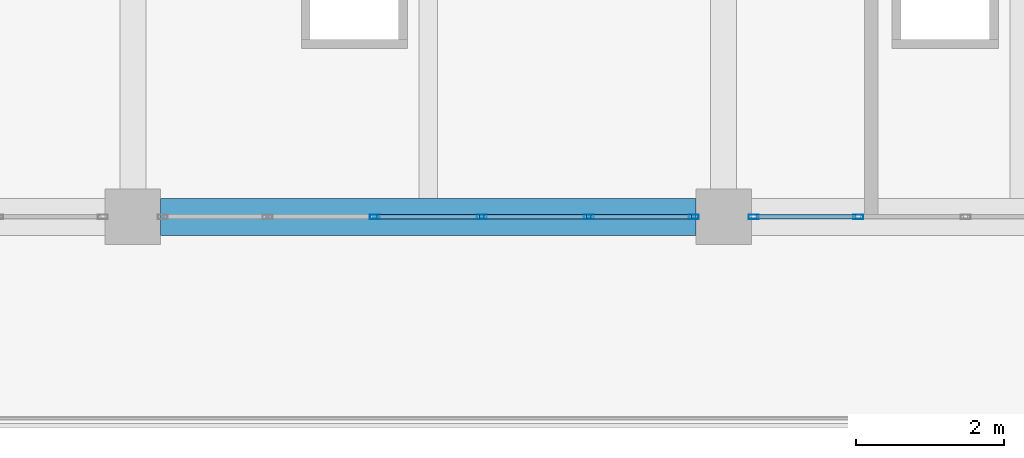
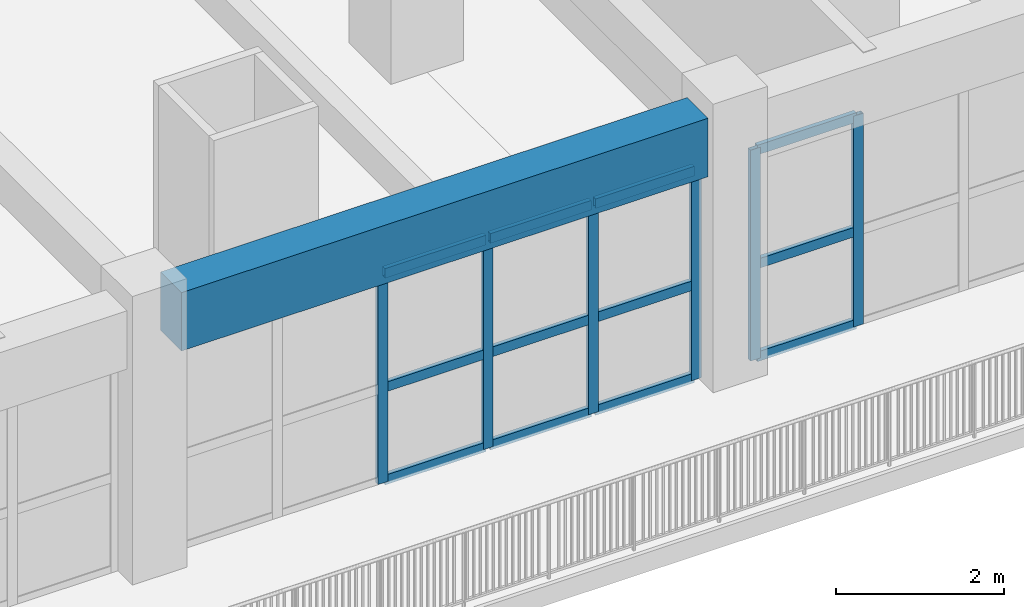
# One storey, part 15 of 63: 18 members, 1 beam, 2 elements without a shape of their own.
"""IFC4 building model written with IfcOpenShell, lengths in metres."""

from ifc_helpers import new_model, si_unit, direction, frame, origin, origin_2d, place, context, subcontext, project, spatial, rectangle, hollow_rectangle, extrude, material, material_profile, profile_set, type_object, element, aggregate, save


model = new_model("IFC4")

# Units and contexts
model_context = context("Model", 3, precision=1e-05, world=origin(), true_north=direction((0.0, 1.0)))
body_context = subcontext(model_context, "Body", "Model", "MODEL_VIEW")
ifc_project = project(units=[si_unit("LENGTHUNIT", "METRE"), si_unit("AREAUNIT", "SQUARE_METRE"), si_unit("VOLUMEUNIT", "CUBIC_METRE"), si_unit("PLANEANGLEUNIT", "RADIAN"), si_unit("MASSUNIT", "GRAM", prefix="KILO")], contexts=[model_context])

# Site, building, storey
site_placement = place(None, origin())
site = spatial("IfcSite", under=ifc_project, at=site_placement, CompositionType="ELEMENT")
building_placement = place(site_placement, origin())
building = spatial("IfcBuilding", under=site, at=building_placement, Name="Zantavel Square City Hall", CompositionType="ELEMENT")
storey_placement = place(building_placement, frame((0.0, 0.0, 14.699951171875)))
storey = spatial("IfcBuildingStorey", under=building, at=storey_placement, Name="L04", CompositionType="ELEMENT", Elevation=14.699951171875)

# Curtain wall, members
ifc_material_1 = material(Name="Anodised aluminium 6063-T6", Category="aluminium")
curtain_wall_type = type_object("IfcCurtainWallType", Name="Curtain Wall TRV1 7250x3070", PredefinedType="USERDEFINED", material=ifc_material_1)
curtain_wall_1_placement = place(storey_placement, origin())
curtain_wall_1 = element("IfcCurtainWall", 1, at=curtain_wall_1_placement, inside=storey, type_object=curtain_wall_type, Name="L04 Glazed Curtain Wall CW-L04-115", ObjectType="GLAZED CURTAIN WALL", PredefinedType="USERDEFINED")
ifc_material_profile_1 = material_profile(ifc_material_1, hollow_rectangle(XDim=0.06005859375, YDim=0.135009765625, WallThickness=0.00390625, at=origin_2d()), Name="ALU 60x135x4")
ifc_profile_set_1 = profile_set([ifc_material_profile_1], Name="Anodised aluminium 6063-T6")
member_type_1 = type_object("IfcMemberType", Name="CW Mullion ALU 60x135x4", PredefinedType="MULLION", material=ifc_profile_set_1)
member_1_placement = place(storey_placement, frame((89.824951171875, 30.39990234375, 0.0), z_axis=(0.0, 0.0, 1.0), x_axis=(0.0, -1.0, 0.0)))
member_1 = element("IfcMember", 2, at=member_1_placement, type_object=member_type_1, Name="CW-115 mullion 5", PredefinedType="MULLION", context=body_context, shape_type="SweptSolid", body=[
    extrude(hollow_rectangle(XDim=0.06005859375, YDim=0.135009765625, WallThickness=0.00390625, at=origin_2d()), origin(), (0.0, 0.0, 1.0), 3.070068359375),
])
member_2_placement = place(storey_placement, frame((88.405029296875, 30.39990234375, 0.0), z_axis=(0.0, 0.0, 1.0), x_axis=(0.0, -1.0, 0.0)))
member_2 = element("IfcMember", 3, at=member_2_placement, type_object=member_type_1, Name="CW-115 mullion 6", PredefinedType="MULLION", context=body_context, shape_type="SweptSolid", body=[
    extrude(hollow_rectangle(XDim=0.06005859375, YDim=0.135009765625, WallThickness=0.00390625, at=origin_2d()), origin(), (0.0, 0.0, 1.0), 3.070068359375),
])

curtain_wall_2_placement = place(storey_placement, origin())
curtain_wall_2 = element("IfcCurtainWall", 4, at=curtain_wall_2_placement, inside=storey, type_object=curtain_wall_type, Name="L04 Glazed Curtain Wall CW-L04-116", ObjectType="GLAZED CURTAIN WALL", PredefinedType="USERDEFINED")
member_3_placement = place(storey_placement, frame((87.594970703125, 30.39990234375, 0.0), z_axis=(0.0, 0.0, 1.0), x_axis=(0.0, -1.0, 0.0)))
member_3 = element("IfcMember", 5, at=member_3_placement, type_object=member_type_1, Name="CW-116 mullion 1", PredefinedType="MULLION", context=body_context, shape_type="SweptSolid", body=[
    extrude(hollow_rectangle(XDim=0.06005859375, YDim=0.135009765625, WallThickness=0.00390625, at=origin_2d()), origin(), (0.0, 0.0, 1.0), 3.070068359375),
])
member_4_placement = place(storey_placement, frame((86.175048828125, 30.39990234375, 0.0), z_axis=(0.0, 0.0, 1.0), x_axis=(0.0, -1.0, 0.0)))
member_4 = element("IfcMember", 6, at=member_4_placement, type_object=member_type_1, Name="CW-116 mullion 2", PredefinedType="MULLION", context=body_context, shape_type="SweptSolid", body=[
    extrude(hollow_rectangle(XDim=0.06005859375, YDim=0.135009765625, WallThickness=0.00390625, at=origin_2d()), origin(), (0.0, 0.0, 1.0), 3.070068359375),
])
member_5_placement = place(storey_placement, frame((84.72509765625, 30.39990234375, 0.0), z_axis=(0.0, 0.0, 1.0), x_axis=(0.0, -1.0, 0.0)))
member_5 = element("IfcMember", 7, at=member_5_placement, type_object=member_type_1, Name="CW-116 mullion 3", PredefinedType="MULLION", context=body_context, shape_type="SweptSolid", body=[
    extrude(hollow_rectangle(XDim=0.06005859375, YDim=0.135009765625, WallThickness=0.00390625, at=origin_2d()), origin(), (0.0, 0.0, 1.0), 3.070068359375),
])
member_6_placement = place(storey_placement, frame((83.27490234375, 30.39990234375, 0.0), z_axis=(0.0, 0.0, 1.0), x_axis=(0.0, -1.0, 0.0)))
member_6 = element("IfcMember", 8, at=member_6_placement, type_object=member_type_1, Name="CW-116 mullion 4", PredefinedType="MULLION", context=body_context, shape_type="SweptSolid", body=[
    extrude(hollow_rectangle(XDim=0.06005859375, YDim=0.135009765625, WallThickness=0.00390625, at=origin_2d()), origin(), (0.0, 0.0, 1.0), 3.070068359375),
])

# Member
ifc_material_profile_2 = material_profile(ifc_material_1, hollow_rectangle(XDim=0.06005859375, YDim=0.139892578125, WallThickness=0.00390625, at=origin_2d()), Name="ALU 60x140x4")
ifc_profile_set_2 = profile_set([ifc_material_profile_2], Name="Anodised aluminium 6063-T6")
member_type_2 = type_object("IfcMemberType", Name="CW Transom ALU 60x140x4", PredefinedType="USERDEFINED", material=ifc_profile_set_2)
member_7_placement = place(storey_placement, frame((89.794921875, 30.39990234375, 0.030029296875), z_axis=(-1.0, 0.0, 0.0), x_axis=(0.0, -1.0, 0.0)))
member_7 = element("IfcMember", 9, at=member_7_placement, type_object=member_type_2, Name="CW-115 transom 5.1", ObjectType="TRANSOM", PredefinedType="USERDEFINED", context=body_context, shape_type="SweptSolid", body=[
    extrude(hollow_rectangle(XDim=0.06005859375, YDim=0.139892578125, WallThickness=0.00390625, at=origin_2d()), origin(), (0.0, 0.0, 1.0), 1.35986328125),
])

member_8_placement = place(storey_placement, frame((89.794921875, 30.39990234375, 1.381103515625), z_axis=(-1.0, 0.0, 0.0), x_axis=(0.0, -1.0, 0.0)))
member_8 = element("IfcMember", 10, at=member_8_placement, type_object=member_type_2, Name="CW-115 transom 5.2", ObjectType="TRANSOM", PredefinedType="USERDEFINED", context=body_context, shape_type="SweptSolid", body=[
    extrude(hollow_rectangle(XDim=0.06005859375, YDim=0.139892578125, WallThickness=0.00390625, at=origin_2d()), origin(), (0.0, 0.0, 1.0), 1.35986328125),
])

member_9_placement = place(storey_placement, frame((89.794921875, 30.39990234375, 3.0400390625), z_axis=(-1.0, 0.0, 0.0), x_axis=(0.0, -1.0, 0.0)))
member_9 = element("IfcMember", 11, at=member_9_placement, type_object=member_type_2, Name="CW-115 transom 5.3", ObjectType="TRANSOM", PredefinedType="USERDEFINED", context=body_context, shape_type="SweptSolid", body=[
    extrude(hollow_rectangle(XDim=0.06005859375, YDim=0.139892578125, WallThickness=0.00390625, at=origin_2d()), origin(), (0.0, 0.0, 1.0), 1.35986328125),
])

aggregate(curtain_wall_1, [member_1, member_2, member_7, member_8, member_9])

member_10_placement = place(storey_placement, frame((87.56494140625, 30.39990234375, 0.030029296875), z_axis=(-1.0, 0.0, 0.0), x_axis=(0.0, -1.0, 0.0)))
member_10 = element("IfcMember", 12, at=member_10_placement, type_object=member_type_2, Name="CW-116 transom 1.1", ObjectType="TRANSOM", PredefinedType="USERDEFINED", context=body_context, shape_type="SweptSolid", body=[
    extrude(hollow_rectangle(XDim=0.06005859375, YDim=0.139892578125, WallThickness=0.00390625, at=origin_2d()), origin(), (0.0, 0.0, 1.0), 1.35986328125),
])

member_11_placement = place(storey_placement, frame((87.56494140625, 30.39990234375, 1.381103515625), z_axis=(-1.0, 0.0, 0.0), x_axis=(0.0, -1.0, 0.0)))
member_11 = element("IfcMember", 13, at=member_11_placement, type_object=member_type_2, Name="CW-116 transom 1.2", ObjectType="TRANSOM", PredefinedType="USERDEFINED", context=body_context, shape_type="SweptSolid", body=[
    extrude(hollow_rectangle(XDim=0.06005859375, YDim=0.139892578125, WallThickness=0.00390625, at=origin_2d()), origin(), (0.0, 0.0, 1.0), 1.35986328125),
])

member_12_placement = place(storey_placement, frame((87.56494140625, 30.39990234375, 3.0400390625), z_axis=(-1.0, 0.0, 0.0), x_axis=(0.0, -1.0, 0.0)))
member_12 = element("IfcMember", 14, at=member_12_placement, type_object=member_type_2, Name="CW-116 transom 1.3", ObjectType="TRANSOM", PredefinedType="USERDEFINED", context=body_context, shape_type="SweptSolid", body=[
    extrude(hollow_rectangle(XDim=0.06005859375, YDim=0.139892578125, WallThickness=0.00390625, at=origin_2d()), origin(), (0.0, 0.0, 1.0), 1.35986328125),
])

member_13_placement = place(storey_placement, frame((86.14501953125, 30.39990234375, 0.030029296875), z_axis=(-1.0, 0.0, 0.0), x_axis=(0.0, -1.0, 0.0)))
member_13 = element("IfcMember", 15, at=member_13_placement, type_object=member_type_2, Name="CW-116 transom 2.1", ObjectType="TRANSOM", PredefinedType="USERDEFINED", context=body_context, shape_type="SweptSolid", body=[
    extrude(hollow_rectangle(XDim=0.06005859375, YDim=0.139892578125, WallThickness=0.00390625, at=origin_2d()), origin(), (0.0, 0.0, 1.0), 1.39013671875),
])

member_14_placement = place(storey_placement, frame((86.14501953125, 30.39990234375, 1.381103515625), z_axis=(-1.0, 0.0, 0.0), x_axis=(0.0, -1.0, 0.0)))
member_14 = element("IfcMember", 16, at=member_14_placement, type_object=member_type_2, Name="CW-116 transom 2.2", ObjectType="TRANSOM", PredefinedType="USERDEFINED", context=body_context, shape_type="SweptSolid", body=[
    extrude(hollow_rectangle(XDim=0.06005859375, YDim=0.139892578125, WallThickness=0.00390625, at=origin_2d()), origin(), (0.0, 0.0, 1.0), 1.39013671875),
])

member_15_placement = place(storey_placement, frame((86.14501953125, 30.39990234375, 3.0400390625), z_axis=(-1.0, 0.0, 0.0), x_axis=(0.0, -1.0, 0.0)))
member_15 = element("IfcMember", 17, at=member_15_placement, type_object=member_type_2, Name="CW-116 transom 2.3", ObjectType="TRANSOM", PredefinedType="USERDEFINED", context=body_context, shape_type="SweptSolid", body=[
    extrude(hollow_rectangle(XDim=0.06005859375, YDim=0.139892578125, WallThickness=0.00390625, at=origin_2d()), origin(), (0.0, 0.0, 1.0), 1.39013671875),
])

member_16_placement = place(storey_placement, frame((84.695068359375, 30.39990234375, 0.030029296875), z_axis=(-1.0, 0.0, 0.0), x_axis=(0.0, -1.0, 0.0)))
member_16 = element("IfcMember", 18, at=member_16_placement, type_object=member_type_2, Name="CW-116 transom 3.1", ObjectType="TRANSOM", PredefinedType="USERDEFINED", context=body_context, shape_type="SweptSolid", body=[
    extrude(hollow_rectangle(XDim=0.06005859375, YDim=0.139892578125, WallThickness=0.00390625, at=origin_2d()), origin(), (0.0, 0.0, 1.0), 1.39013671875),
])

member_17_placement = place(storey_placement, frame((84.695068359375, 30.39990234375, 1.381103515625), z_axis=(-1.0, 0.0, 0.0), x_axis=(0.0, -1.0, 0.0)))
member_17 = element("IfcMember", 19, at=member_17_placement, type_object=member_type_2, Name="CW-116 transom 3.2", ObjectType="TRANSOM", PredefinedType="USERDEFINED", context=body_context, shape_type="SweptSolid", body=[
    extrude(hollow_rectangle(XDim=0.06005859375, YDim=0.139892578125, WallThickness=0.00390625, at=origin_2d()), origin(), (0.0, 0.0, 1.0), 1.39013671875),
])

member_18_placement = place(storey_placement, frame((84.695068359375, 30.39990234375, 3.0400390625), z_axis=(-1.0, 0.0, 0.0), x_axis=(0.0, -1.0, 0.0)))
member_18 = element("IfcMember", 20, at=member_18_placement, type_object=member_type_2, Name="CW-116 transom 3.3", ObjectType="TRANSOM", PredefinedType="USERDEFINED", context=body_context, shape_type="SweptSolid", body=[
    extrude(hollow_rectangle(XDim=0.06005859375, YDim=0.139892578125, WallThickness=0.00390625, at=origin_2d()), origin(), (0.0, 0.0, 1.0), 1.39013671875),
])

aggregate(curtain_wall_2, [member_3, member_4, member_5, member_6, member_10, member_11, member_12, member_13, member_14, member_15, member_16, member_17, member_18])

# Beam
ifc_material_2 = material(Name="Concrete C40/50", Category="concrete")
ifc_material_profile_3 = material_profile(ifc_material_2, rectangle(XDim=0.5, YDim=0.85009765625, at=origin_2d()), Name="RC 500x850")
ifc_profile_set_3 = profile_set([ifc_material_profile_3], Name="Concrete C40/50")
beam_type = type_object("IfcBeamType", Name="Council Chamber Girder RC 500x850 C40/50", PredefinedType="BEAM", material=ifc_profile_set_3)
beam_placement = place(storey_placement, frame((80.375, 30.39990234375, 3.4951171875), z_axis=(1.0, 0.0, 0.0), x_axis=(0.0, 1.0, 0.0)))
element("IfcBeam", 21, at=beam_placement, inside=storey, type_object=beam_type, Name="L04 Girder BMX-L04-0800-0304", PredefinedType="BEAM", context=body_context, shape_type="SweptSolid", body=[
    extrude(rectangle(XDim=0.5, YDim=0.85009765625, at=origin_2d()), origin(), (0.0, 0.0, 1.0), 7.25),
])

save(model, "model.ifc")
